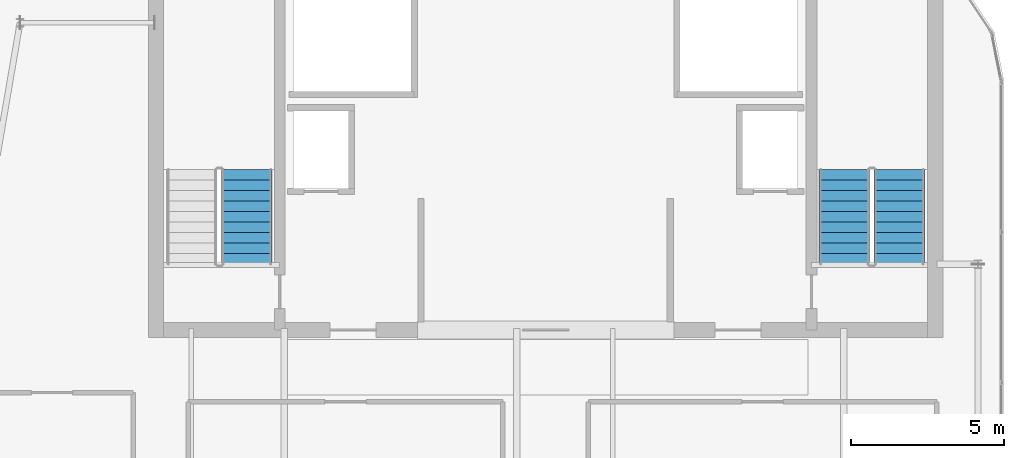
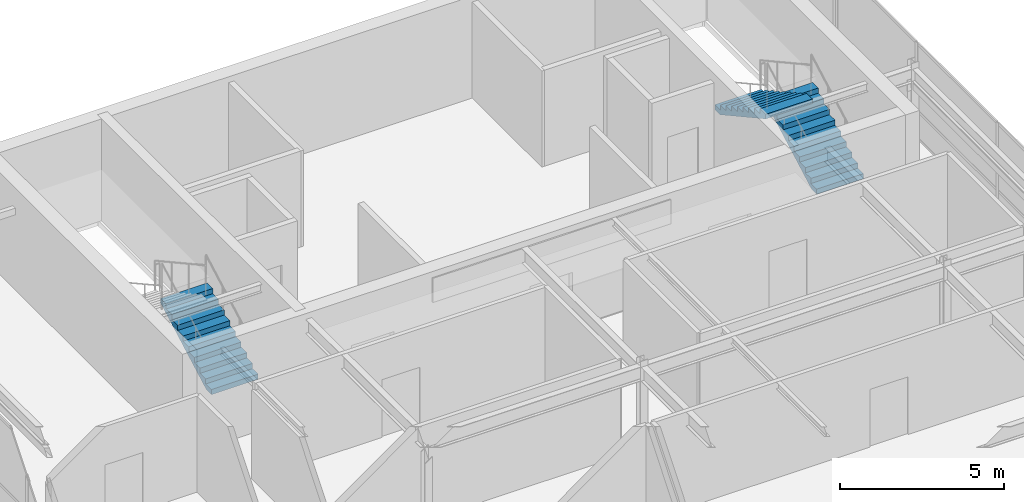
# One storey, part 35 of 36: 3 stair flights, 2 elements without a shape of their own.
"""IFC4 building model written with IfcOpenShell, lengths in metres."""

from ifc_helpers import new_model, si_unit, direction, frame, origin, place, context, subcontext, project, spatial, polyline, outline, extrude, material, type_object, element, aggregate, save


model = new_model("IFC4")

# Units and contexts
model_context = context("Model", 3, precision=1e-05, world=origin(), true_north=direction((0.0, 1.0)))
body_context = subcontext(model_context, "Body", "Model", "MODEL_VIEW")
ifc_project = project(units=[si_unit("LENGTHUNIT", "METRE"), si_unit("AREAUNIT", "SQUARE_METRE"), si_unit("VOLUMEUNIT", "CUBIC_METRE"), si_unit("PLANEANGLEUNIT", "RADIAN"), si_unit("MASSUNIT", "GRAM", prefix="KILO")], contexts=[model_context])

# Site, building, storey
site_placement = place(None, origin())
site = spatial("IfcSite", under=ifc_project, at=site_placement, CompositionType="ELEMENT")
building_placement = place(site_placement, origin())
building = spatial("IfcBuilding", under=site, at=building_placement, Name="Tolvann Quenvar Hotel", CompositionType="ELEMENT")
storey_placement = place(building_placement, frame((0.0, 0.0, 294.75)))
storey = spatial("IfcBuildingStorey", under=building, at=storey_placement, Name="L78", CompositionType="ELEMENT", Elevation=294.75)

# Stair, stair flight
ifc_material = material(Name="Concrete N40 (40 MPa)", Category="concrete")
stair_type = type_object("IfcStairType", Name="STAIR", PredefinedType="HALF_TURN_STAIR", material=ifc_material)
stair_1_placement = place(storey_placement, origin())
stair_1 = element("IfcStair", 1, at=stair_1_placement, inside=storey, type_object=stair_type, Name="L78 ST-C1", PredefinedType="HALF_TURN_STAIR")
stair_flight_type = type_object("IfcStairFlightType", Name="STAIR_FLIGHT", PredefinedType="STRAIGHT", material=ifc_material)
stair_flight_1_placement = place(storey_placement, frame((13.22509765625, 34.0, 0.0), z_axis=(0.0, 0.0, 1.0), x_axis=(0.0, 1.0, 0.0)))
stair_flight_1 = element("IfcStairFlight", 2, at=stair_flight_1_placement, type_object=stair_flight_type, Name="ST-C1 flight 1", NumberOfRisers=10, NumberOfTreads=9, PredefinedType="STRAIGHT", RiserHeight=0.19, TreadLength=0.345, context=body_context, shape_type="SweptSolid", body=[
    extrude(outline(polyline([(0.0, 0.0), (0.0, 0.18994140625), (0.344970703125, 0.18994140625), (0.344970703125, 0.3798828125), (0.68994140625, 0.3798828125), (0.68994140625, 0.570068359375), (1.034912109375, 0.570068359375), (1.034912109375, 0.760009765625), (1.3798828125, 0.760009765625), (1.3798828125, 0.949951171875), (1.72509765625, 0.949951171875), (1.72509765625, 1.139892578125), (2.070068359375, 1.139892578125), (2.070068359375, 1.330078125), (2.4150390625, 1.330078125), (2.4150390625, 1.52001953125), (2.760009765625, 1.52001953125), (2.760009765625, 1.7099609375), (3.10498046875, 1.7099609375), (3.10498046875, 1.89990234375), (3.10498046875, 1.538818359375), (0.310791015625, 0.0), (0.0, 0.0)])), frame((0.0, 0.824951171875, 0.0), z_axis=(0.0, -1.0, 0.0), x_axis=(1.0, 0.0, 0.0)), (0.0, 0.0, 1.0), 1.64990234375),
])
aggregate(stair_1, [stair_flight_1])

# Stair, stair flights
stair_2_placement = place(storey_placement, origin())
stair_2 = element("IfcStair", 3, at=stair_2_placement, inside=storey, type_object=stair_type, Name="L78 ST-C2", PredefinedType="HALF_TURN_STAIR")
stair_flight_2_placement = place(storey_placement, frame((34.574951171875, 34.0, 0.0), z_axis=(0.0, 0.0, 1.0), x_axis=(0.0, 1.0, 0.0)))
stair_flight_2 = element("IfcStairFlight", 4, at=stair_flight_2_placement, type_object=stair_flight_type, Name="ST-C2 flight 1", NumberOfRisers=10, NumberOfTreads=9, PredefinedType="STRAIGHT", RiserHeight=0.19, TreadLength=0.345, context=body_context, shape_type="SweptSolid", body=[
    extrude(outline(polyline([(0.0, 0.0), (0.0, 0.18994140625), (0.344970703125, 0.18994140625), (0.344970703125, 0.3798828125), (0.68994140625, 0.3798828125), (0.68994140625, 0.570068359375), (1.034912109375, 0.570068359375), (1.034912109375, 0.760009765625), (1.3798828125, 0.760009765625), (1.3798828125, 0.949951171875), (1.72509765625, 0.949951171875), (1.72509765625, 1.139892578125), (2.070068359375, 1.139892578125), (2.070068359375, 1.330078125), (2.4150390625, 1.330078125), (2.4150390625, 1.52001953125), (2.760009765625, 1.52001953125), (2.760009765625, 1.7099609375), (3.10498046875, 1.7099609375), (3.10498046875, 1.89990234375), (3.10498046875, 1.538818359375), (0.310791015625, 0.0), (0.0, 0.0)])), frame((0.0, 0.824951171875, 0.0), z_axis=(0.0, -1.0, 0.0), x_axis=(1.0, 0.0, 0.0)), (0.0, 0.0, 1.0), 1.64990234375),
])
stair_flight_3_placement = place(storey_placement, frame((32.77490234375, 37.10498046875, 1.89990234375), z_axis=(0.0, 0.0, 1.0), x_axis=(0.0, -1.0, 0.0)))
stair_flight_3 = element("IfcStairFlight", 5, at=stair_flight_3_placement, type_object=stair_flight_type, Name="ST-C2 flight 2", NumberOfRisers=10, NumberOfTreads=9, PredefinedType="STRAIGHT", RiserHeight=0.19, TreadLength=0.345, context=body_context, shape_type="SweptSolid", body=[
    extrude(outline(polyline([(0.0, 0.0), (0.0, 0.18994140625), (0.344970703125, 0.18994140625), (0.344970703125, 0.3798828125), (0.68994140625, 0.3798828125), (0.68994140625, 0.570068359375), (1.034912109375, 0.570068359375), (1.034912109375, 0.760009765625), (1.3798828125, 0.760009765625), (1.3798828125, 0.949951171875), (1.72509765625, 0.949951171875), (1.72509765625, 1.139892578125), (2.070068359375, 1.139892578125), (2.070068359375, 1.330078125), (2.4150390625, 1.330078125), (2.4150390625, 1.52001953125), (2.760009765625, 1.52001953125), (2.760009765625, 1.7099609375), (3.10498046875, 1.7099609375), (3.10498046875, 1.89990234375), (3.10498046875, 1.538818359375), (0.310791015625, 0.0), (0.0, 0.0)])), frame((0.0, 0.824951171875, 0.0), z_axis=(0.0, -1.0, 0.0), x_axis=(1.0, 0.0, 0.0)), (0.0, 0.0, 1.0), 1.64990234375),
])
aggregate(stair_2, [stair_flight_2, stair_flight_3])

save(model, "model.ifc")
